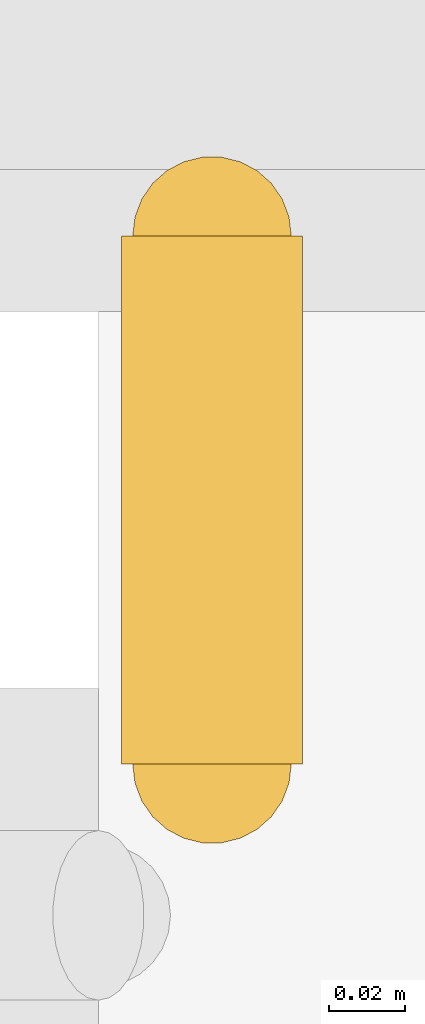
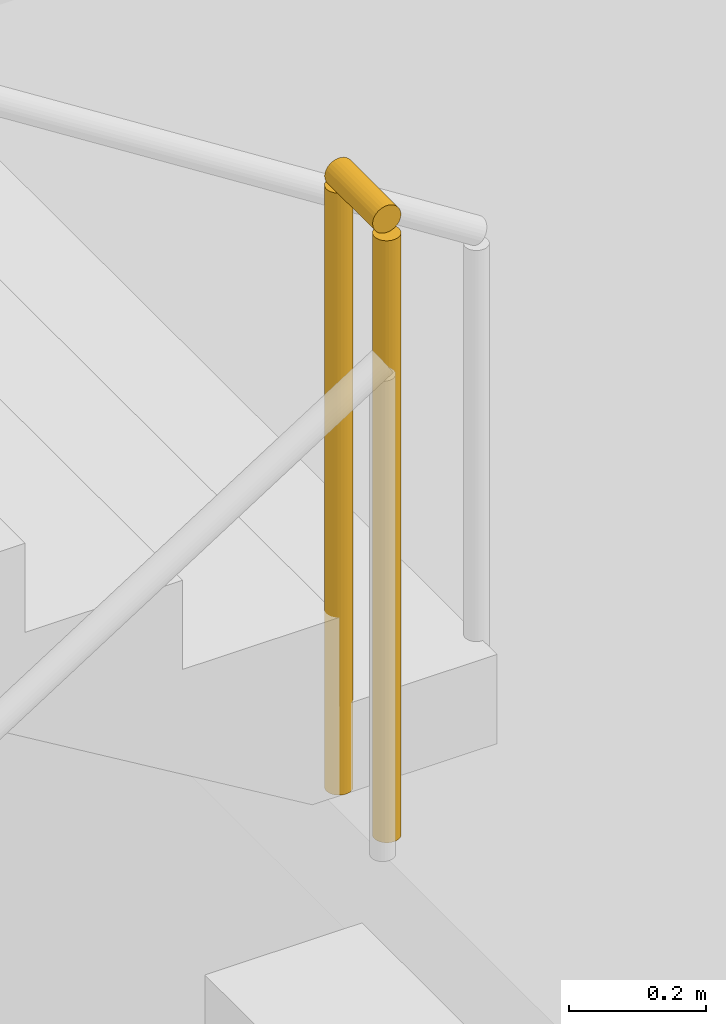
# One storey, part 100 of 108: 1 railing.
"""IFC4 building model written with IfcOpenShell, lengths in metres."""

from ifc_helpers import new_model, si_unit, direction, frame, origin, origin_2d, place, context, subcontext, project, spatial, circle, extrude, material, type_object, element, save


model = new_model("IFC4")

# Units and contexts
model_context = context("Model", 3, precision=1e-05, world=origin(), true_north=direction((0.0, 1.0)))
body_context = subcontext(model_context, "Body", "Model", "MODEL_VIEW")
ifc_project = project(units=[si_unit("LENGTHUNIT", "METRE"), si_unit("AREAUNIT", "SQUARE_METRE"), si_unit("VOLUMEUNIT", "CUBIC_METRE"), si_unit("PLANEANGLEUNIT", "RADIAN"), si_unit("MASSUNIT", "GRAM", prefix="KILO")], contexts=[model_context])

# Site, building, storey
site_placement = place(None, origin())
site = spatial("IfcSite", under=ifc_project, at=site_placement, CompositionType="ELEMENT")
building_placement = place(site_placement, origin())
building = spatial("IfcBuilding", under=site, at=building_placement, Name="Zhaolan Boulevard Law Courts", CompositionType="ELEMENT")
storey_placement = place(building_placement, frame((0.0, 0.0, 10.800048828125)))
storey = spatial("IfcBuildingStorey", under=building, at=storey_placement, Name="L02", CompositionType="ELEMENT", Elevation=10.800048828125)

# Railing
ifc_material = material(Name="Powder-coated steel baluster guardrail", Category="steel")
railing_type = type_object("IfcRailingType", Name="STAIR WELL GUARDRAIL 1120", PredefinedType="GUARDRAIL", material=ifc_material)
railing_placement = place(storey_placement, frame((23.320068359375, 64.52001953125, 2.699951171875)))
element("IfcRailing", 1, at=railing_placement, inside=storey, type_object=railing_type, Name="Half-Landing Well Guardrail SG-ST02-L02-W", PredefinedType="GUARDRAIL", context=body_context, shape_type="SweptSolid", body=[
    extrude(circle(Radius=0.02392578125, at=origin_2d()), frame((0.0, 0.0, 1.09619140625), z_axis=(0.0, 1.0, 0.0), x_axis=(-1.0, 0.0, 0.0)), (0.0, 0.0, 1.0), 0.139892578125),
    extrude(circle(Radius=0.02099609375, at=origin_2d()), origin(), (0.0, 0.0, 1.0), 1.072021484375),
    extrude(circle(Radius=0.02099609375, at=origin_2d()), frame((0.0, 0.139892578125, 0.0)), (0.0, 0.0, 1.0), 1.072021484375),
])

save(model, "model.ifc")
